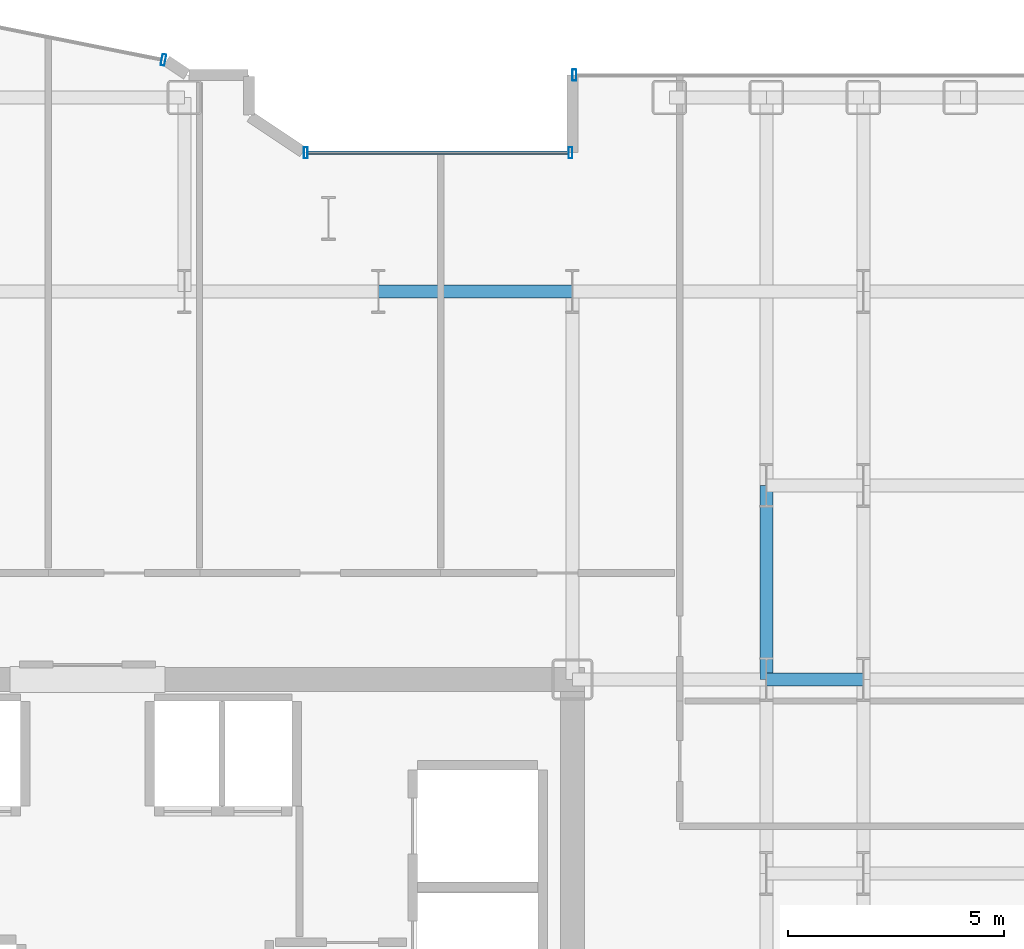
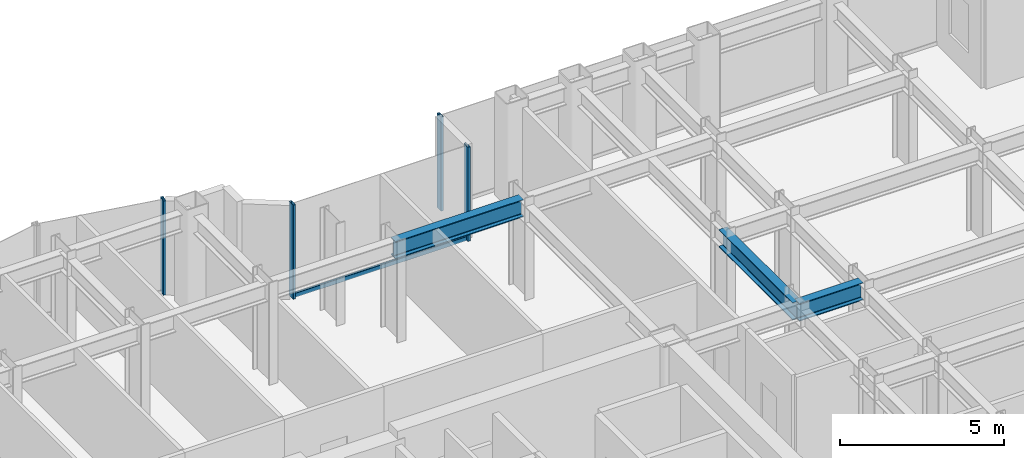
# One storey, part 12 of 26: 5 members, 3 beams, 3 elements without a shape of their own.
"""IFC4 building model written with IfcOpenShell, lengths in metres."""

from ifc_helpers import new_model, si_unit, direction, frame, origin, origin_2d, place, context, subcontext, project, spatial, hollow_rectangle, i_section, extrude, source, transform, mapped, material, layer, layer_set, material_profile, profile_set, type_object, element, aggregate, save


model = new_model("IFC4")

# Units and contexts
model_context = context("Model", 3, precision=1e-05, world=origin(), true_north=direction((0.0, 1.0)))
body_context = subcontext(model_context, "Body", "Model", "MODEL_VIEW")
ifc_project = project(units=[si_unit("LENGTHUNIT", "METRE"), si_unit("AREAUNIT", "SQUARE_METRE"), si_unit("VOLUMEUNIT", "CUBIC_METRE"), si_unit("PLANEANGLEUNIT", "RADIAN"), si_unit("MASSUNIT", "GRAM", prefix="KILO")], contexts=[model_context])

# Site, building, storey
site_placement = place(None, origin())
site = spatial("IfcSite", under=ifc_project, at=site_placement, CompositionType="ELEMENT")
building_placement = place(site_placement, origin())
building = spatial("IfcBuilding", under=site, at=building_placement, Name="Nefas-Gora Pilgrimage Tower", CompositionType="ELEMENT")
storey_placement = place(building_placement, frame((0.0, 0.0, 140.199951171875)))
storey = spatial("IfcBuildingStorey", under=building, at=storey_placement, Name="L34", CompositionType="ELEMENT", Elevation=140.199951171875)

# Beams
ifc_material_1 = material(Name="Steel S355", Category="steel")
ifc_material_profile_1 = material_profile(ifc_material_1, i_section(OverallWidth=0.300048828125, OverallDepth=0.64990234375, WebThickness=0.01611328125, FlangeThickness=0.031005859375, FilletRadius=0.027099609375, at=origin_2d()), Name="HEB 650")
ifc_profile_set_1 = profile_set([ifc_material_profile_1], Name="Steel S355")
beam_type = type_object("IfcBeamType", Name="BM-GIR-HEB650", PredefinedType="BEAM", material=ifc_profile_set_1)
shared_shape_1 = source(origin(), body_context, "Body", "SweptSolid", [
    extrude(i_section(OverallWidth=0.300048828125, OverallDepth=0.64990234375, WebThickness=0.01611328125, FlangeThickness=0.031005859375, FilletRadius=0.027099609375, at=origin_2d()), origin(), (0.0, 0.0, 1.0), 4.5),
])
for number, where, z_axis, x_axis, name in (
    (1, (6.75, 18.0, 3.175048828125), (1.0, 0.0, 0.0), (0.0, 1.0, 0.0), "L34 G-03 beam"),
    (2, (15.75, 9.0, 3.175048828125), (0.0, 1.0, 0.0), (-1.0, 0.0, 0.0), "L34 G-03 beam"),
):
    element("IfcBeam", number, at=place(storey_placement, frame(where, z_axis=z_axis, x_axis=x_axis)), inside=storey, type_object=beam_type, Name=name, PredefinedType="BEAM", context=body_context, shape_type="MappedRepresentation", body=[
        mapped(shared_shape_1, transform((0.0, 0.0, 0.0), x_axis=(1.0, 0.0, 0.0), y_axis=(0.0, 1.0, 0.0), z_axis=(0.0, 0.0, 1.0), scale=1.0)),
    ])
shared_shape_2 = source(origin(), body_context, "Body", "SweptSolid", [
    extrude(i_section(OverallWidth=0.300048828125, OverallDepth=0.64990234375, WebThickness=0.01611328125, FlangeThickness=0.031005859375, FilletRadius=0.027099609375, at=origin_2d()), origin(), (0.0, 0.0, 1.0), 2.25),
])
beam_placement = place(storey_placement, frame((15.75, 9.0, 3.175048828125), z_axis=(1.0, 0.0, 0.0), x_axis=(0.0, 1.0, 0.0)))
element("IfcBeam", 3, at=beam_placement, inside=storey, type_object=beam_type, Name="L34 G-03 beam", PredefinedType="BEAM", context=body_context, shape_type="MappedRepresentation", body=[
    mapped(shared_shape_2, transform((0.0, 0.0, 0.0), x_axis=(1.0, 0.0, 0.0), y_axis=(0.0, 1.0, 0.0), z_axis=(0.0, 0.0, 1.0), scale=1.0)),
])

# Curtain wall, members
ifc_material_2 = material(Name="Dark ceramic-fritted solar-control aluminium-glass curtain wall", Category="aluminium")
ifc_layer_1 = layer(ifc_material_2, 0.219970703125)
ifc_layer_set_1 = layer_set([ifc_layer_1], Name="Dark ceramic-fritted solar-control aluminium-glass curtain wall")
curtain_wall_type_1 = type_object("IfcCurtainWallType", Name="CW-SYS-5", PredefinedType="NOTDEFINED", material=ifc_layer_set_1)
curtain_wall_1_placement = place(storey_placement, origin())
curtain_wall_1 = element("IfcCurtainWall", 4, at=curtain_wall_1_placement, inside=storey, type_object=curtain_wall_type_1, Name="L34 Unitised Curtain Wall CW5", PredefinedType="NOTDEFINED")
ifc_material_3 = material(Name="Anodised architectural aluminium", Category="aluminium")
ifc_material_profile_2 = material_profile(ifc_material_3, hollow_rectangle(XDim=0.080078125, YDim=0.159912109375, WallThickness=0.00439453125, InnerFilletRadius=0.00439453125, OuterFilletRadius=0.009033203125, at=origin_2d()), Name="ALU TRANSOM 80x160")
ifc_profile_set_2 = profile_set([ifc_material_profile_2], Name="Anodised architectural aluminium")
member_type_1 = type_object("IfcMemberType", Name="CWM-TRN-5", PredefinedType="USERDEFINED", material=ifc_profile_set_2)
shared_shape_3 = source(origin(), body_context, "Body", "SweptSolid", [
    extrude(hollow_rectangle(XDim=0.080078125, YDim=0.159912109375, WallThickness=0.00439453125, InnerFilletRadius=0.00439453125, OuterFilletRadius=0.009033203125, at=origin_2d()), origin(), (0.0, 0.0, 1.0), 6.052001953125),
])
member_1_placement = place(storey_placement, frame((11.159912109375, 21.219970703125, 0.050048828125), z_axis=(-1.0, 0.0, 0.0), x_axis=(0.0, -1.0, 0.0)))
member_1 = element("IfcMember", 5, at=member_1_placement, type_object=member_type_1, Name="CW5 Spandrel Transom", ObjectType="TRANSOM", PredefinedType="USERDEFINED", context=body_context, shape_type="MappedRepresentation", body=[
    mapped(shared_shape_3, transform((0.0, 0.0, 0.0), x_axis=(1.0, 0.0, 0.0), y_axis=(0.0, 1.0, 0.0), z_axis=(0.0, 0.0, 1.0), scale=1.0)),
])
ifc_material_profile_3 = material_profile(ifc_material_3, hollow_rectangle(XDim=0.090087890625, YDim=0.260009765625, WallThickness=0.006103515625, InnerFilletRadius=0.006103515625, OuterFilletRadius=0.011962890625, at=origin_2d()), Name="ALU MULLION 90x260")
ifc_profile_set_3 = profile_set([ifc_material_profile_3], Name="Anodised architectural aluminium")
member_type_2 = type_object("IfcMemberType", Name="CWM-MUL-5", PredefinedType="MULLION", material=ifc_profile_set_3)
shared_shape_4 = source(origin(), body_context, "Body", "SweptSolid", [
    extrude(hollow_rectangle(XDim=0.090087890625, YDim=0.260009765625, WallThickness=0.006103515625, InnerFilletRadius=0.006103515625, OuterFilletRadius=0.011962890625, at=origin_2d()), origin(), (0.0, 0.0, 1.0), 3.5),
])
member_2_placement = place(storey_placement, frame((11.205078125, 21.219970703125, 0.0), z_axis=(0.0, 0.0, 1.0), x_axis=(-1.0, 0.0, 0.0)))
member_2 = element("IfcMember", 6, at=member_2_placement, type_object=member_type_2, Name="CW5 Mullion 1", PredefinedType="MULLION", context=body_context, shape_type="MappedRepresentation", body=[
    mapped(shared_shape_4, transform((0.0, 0.0, 0.0), x_axis=(1.0, 0.0, 0.0), y_axis=(0.0, 1.0, 0.0), z_axis=(0.0, 0.0, 1.0), scale=1.0)),
])
member_3_placement = place(storey_placement, frame((5.06298828125, 21.219970703125, 0.0), z_axis=(0.0, 0.0, 1.0), x_axis=(-1.0, 0.0, 0.0)))
member_3 = element("IfcMember", 7, at=member_3_placement, type_object=member_type_2, Name="CW5 Mullion 2", PredefinedType="MULLION", context=body_context, shape_type="MappedRepresentation", body=[
    mapped(shared_shape_4, transform((0.0, 0.0, 0.0), x_axis=(1.0, 0.0, 0.0), y_axis=(0.0, 1.0, 0.0), z_axis=(0.0, 0.0, 1.0), scale=1.0)),
])
aggregate(curtain_wall_1, [member_2, member_3, member_1])

# Curtain wall, member
curtain_wall_2_placement = place(storey_placement, origin())
curtain_wall_2 = element("IfcCurtainWall", 8, at=curtain_wall_2_placement, inside=storey, type_object=curtain_wall_type_1, Name="L34 Unitised Curtain Wall CW5", PredefinedType="NOTDEFINED")
member_4_placement = place(storey_placement, frame((1.76318359375, 23.3740234375, 0.0), z_axis=(0.0, 0.0, 1.0), x_axis=(-0.980782896852, 0.195102304554, 0.0)))
member_4 = element("IfcMember", 9, at=member_4_placement, type_object=member_type_2, Name="CW5 Mullion 1", PredefinedType="MULLION", context=body_context, shape_type="MappedRepresentation", body=[
    mapped(shared_shape_4, transform((0.0, 0.0, 0.0), x_axis=(1.0, 0.0, 0.0), y_axis=(0.0, 1.0, 0.0), z_axis=(0.0, 0.0, 1.0), scale=1.0)),
])
aggregate(curtain_wall_2, [member_4])

ifc_layer_2 = layer(ifc_material_2, 0.219970703125)
ifc_layer_set_2 = layer_set([ifc_layer_2], Name="Dark ceramic-fritted solar-control aluminium-glass curtain wall")
curtain_wall_type_2 = type_object("IfcCurtainWallType", Name="CW-SYS-2", PredefinedType="NOTDEFINED", material=ifc_layer_set_2)
curtain_wall_3_placement = place(storey_placement, origin())
curtain_wall_3 = element("IfcCurtainWall", 10, at=curtain_wall_3_placement, inside=storey, type_object=curtain_wall_type_2, Name="L34 Unitised Curtain Wall CW2", PredefinedType="NOTDEFINED")
ifc_material_profile_4 = material_profile(ifc_material_3, hollow_rectangle(XDim=0.090087890625, YDim=0.260009765625, WallThickness=0.006103515625, InnerFilletRadius=0.006103515625, OuterFilletRadius=0.011962890625, at=origin_2d()), Name="ALU MULLION 90x260")
ifc_profile_set_4 = profile_set([ifc_material_profile_4], Name="Anodised architectural aluminium")
member_type_3 = type_object("IfcMemberType", Name="CWM-MUL-2", PredefinedType="MULLION", material=ifc_profile_set_4)
shared_shape_5 = source(origin(), body_context, "Body", "SweptSolid", [
    extrude(hollow_rectangle(XDim=0.090087890625, YDim=0.260009765625, WallThickness=0.006103515625, InnerFilletRadius=0.006103515625, OuterFilletRadius=0.011962890625, at=origin_2d()), origin(), (0.0, 0.0, 1.0), 3.5),
])
member_5_placement = place(storey_placement, frame((11.294921875, 23.02001953125, 0.0), z_axis=(0.0, 0.0, 1.0), x_axis=(-1.0, 0.0, 0.0)))
member_5 = element("IfcMember", 11, at=member_5_placement, type_object=member_type_3, Name="CW2 Mullion 2", PredefinedType="MULLION", context=body_context, shape_type="MappedRepresentation", body=[
    mapped(shared_shape_5, transform((0.0, 0.0, 0.0), x_axis=(1.0, 0.0, 0.0), y_axis=(0.0, 1.0, 0.0), z_axis=(0.0, 0.0, 1.0), scale=1.0)),
])
aggregate(curtain_wall_3, [member_5])

save(model, "model.ifc")
